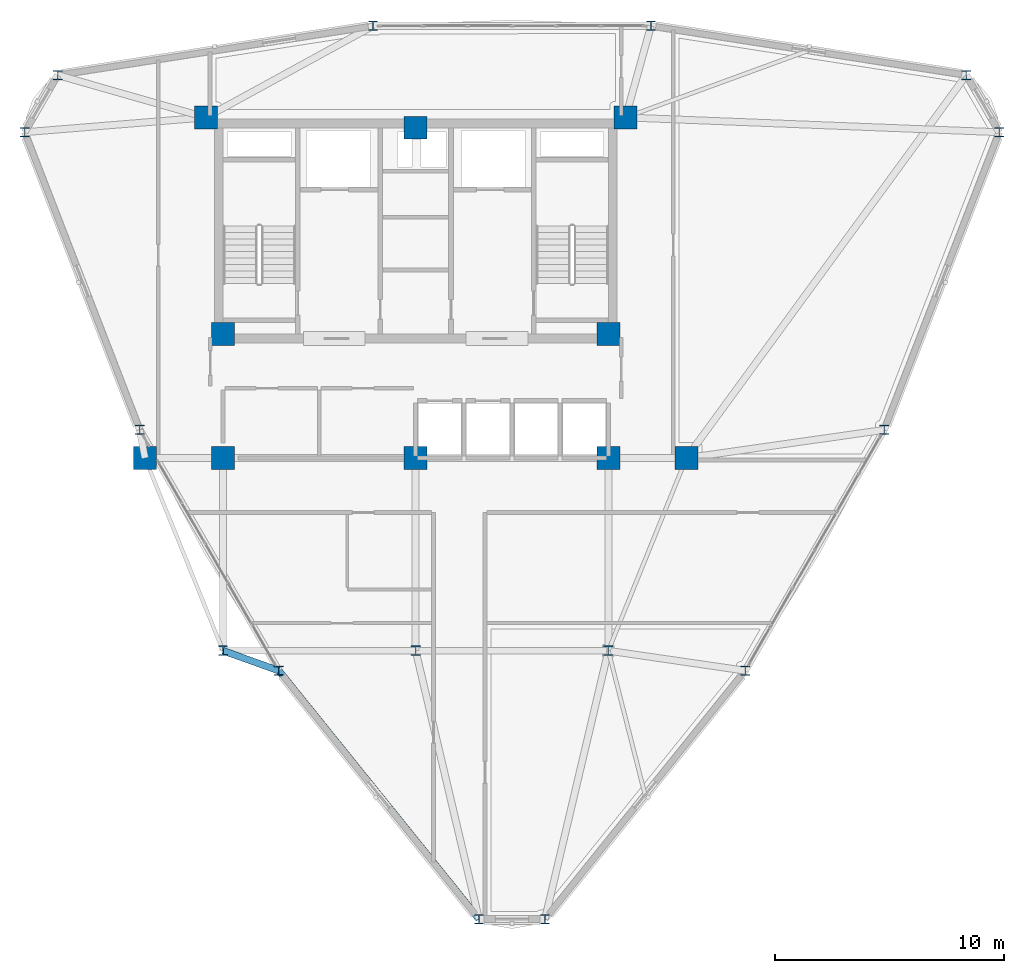
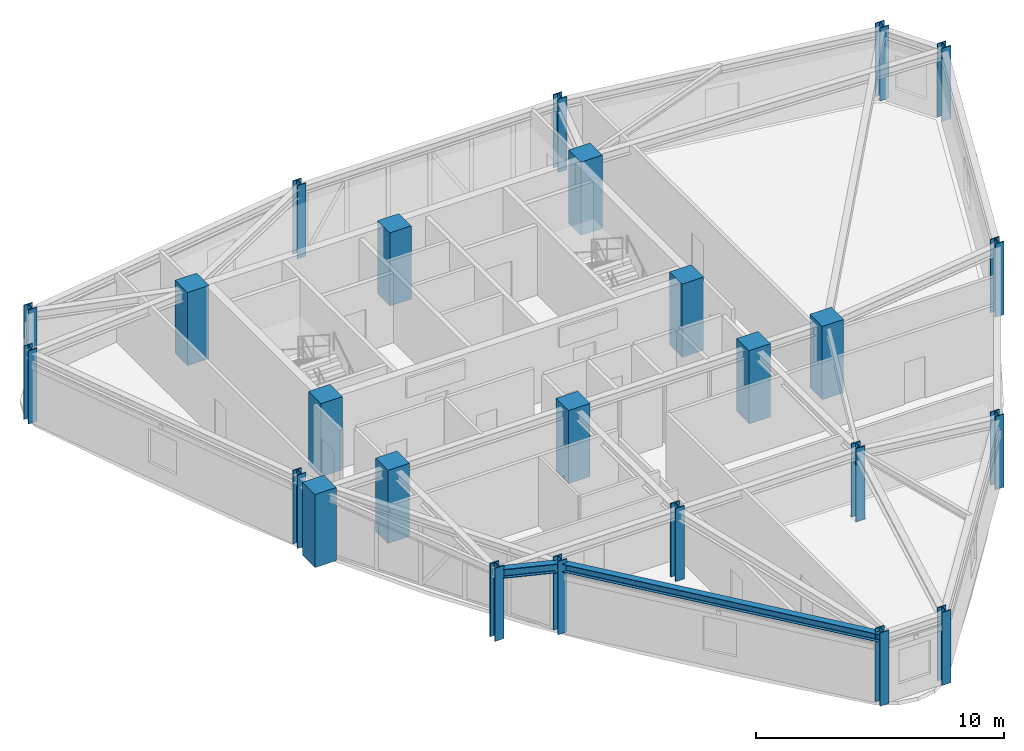
# One storey, part 1 of 16: 25 columns, 2 beams.
"""IFC4 building model written with IfcOpenShell, lengths in metres."""

from ifc_helpers import new_model, si_unit, derived_unit, direction, frame, origin, origin_2d, place, context, subcontext, project, spatial, rectangle, i_section, extrude, source, transform, mapped, material, material_profile, profile_set, type_object, element, save


model = new_model("IFC4")

# Units and contexts
model_context = context("Model", 3, precision=1e-05, world=origin(), true_north=direction((0.0, 1.0)))
body_context = subcontext(model_context, "Body", "Model", "MODEL_VIEW")
ifc_project = project(units=[si_unit("LENGTHUNIT", "METRE"), si_unit("AREAUNIT", "SQUARE_METRE"), si_unit("VOLUMEUNIT", "CUBIC_METRE"), si_unit("PLANEANGLEUNIT", "RADIAN"), si_unit("MASSUNIT", "GRAM", prefix="KILO"), derived_unit("THERMALTRANSMITTANCEUNIT", [(si_unit("POWERUNIT", "WATT"), 1), (si_unit("LENGTHUNIT", "METRE"), -2), (si_unit("THERMODYNAMICTEMPERATUREUNIT", "KELVIN"), -1)])], contexts=[model_context])

# Site, building, storey
site_placement = place(None, origin())
site = spatial("IfcSite", under=ifc_project, at=site_placement, CompositionType="ELEMENT")
building_placement = place(site_placement, origin())
building = spatial("IfcBuilding", under=site, at=building_placement, Name="Korsvarv Bourse and Concert Hall", CompositionType="ELEMENT")
storey_placement = place(building_placement, frame((0.0, 0.0, 231.0)))
storey = spatial("IfcBuildingStorey", under=building, at=storey_placement, Name="L60", CompositionType="ELEMENT", Elevation=231.0)

# Columns
ifc_material_1 = material(Name="Steel S355", Category="steel")
ifc_material_profile_1 = material_profile(ifc_material_1, i_section(OverallWidth=0.412109375, OverallDepth=0.43505859375, WebThickness=0.032958984375, FlangeThickness=0.052978515625, FilletRadius=0.014892578125, at=origin_2d()), Name="HD 400x463")
ifc_profile_set_1 = profile_set([ifc_material_profile_1], Name="Steel S355")
column_type_1 = type_object("IfcColumnType", Name="COL-HD463", PredefinedType="COLUMN", material=ifc_profile_set_1)
shared_shape_1 = source(origin(), body_context, "Body", "SweptSolid", [
    extrude(i_section(OverallWidth=0.412109375, OverallDepth=0.43505859375, WebThickness=0.032958984375, FlangeThickness=0.052978515625, FilletRadius=0.014892578125, at=origin_2d()), origin(), (0.0, 0.0, 1.0), 3.60009765625),
])
for number, where, z_axis, x_axis, name in (
    (1, (27.60009765625, 24.0, 0.0), (0.0, 0.0, 1.0), (1.0, 0.0, 0.0), "L60 column C-09"),
    (2, (44.39990234375, 24.0, 0.0), (0.0, 0.0, 1.0), (1.0, 0.0, 0.0), "L60 column C-09"),
    (3, (36.0, 24.0, 0.0), (0.0, 0.0, 1.0), (1.0, 0.0, 0.0), "L60 column C-09"),
):
    element("IfcColumn", number, at=place(storey_placement, frame(where, z_axis=z_axis, x_axis=x_axis)), inside=storey, type_object=column_type_1, Name=name, PredefinedType="COLUMN", context=body_context, shape_type="MappedRepresentation", body=[
        mapped(shared_shape_1, transform((0.0, 0.0, 0.0), scale=1.0)),
    ])
ifc_material_2 = material(Name="Concrete C55/67", Category="concrete")
ifc_material_profile_2 = material_profile(ifc_material_2, rectangle(XDim=1.0, YDim=1.0, at=origin_2d()), Name="RC 1000x1000")
ifc_profile_set_2 = profile_set([ifc_material_profile_2], Name="Concrete C55/67")
column_type_2 = type_object("IfcColumnType", Name="COL-RC1000", PredefinedType="COLUMN", material=ifc_profile_set_2)
shared_shape_2 = source(origin(), body_context, "Body", "SweptSolid", [
    extrude(rectangle(XDim=1.0, YDim=1.0, at=origin_2d()), origin(), (0.0, 0.0, 1.0), 3.60009765625),
])
for number, where, z_axis, x_axis, name in (
    (4, (26.85009765625, 47.25, 0.0), (0.0, 0.0, 1.0), (1.0, 0.0, 0.0), "L60 column C-03"),
    (5, (45.14990234375, 47.25, 0.0), (0.0, 0.0, 1.0), (1.0, 0.0, 0.0), "L60 column C-03"),
    (6, (27.60009765625, 37.800048828125, 0.0), (0.0, 0.0, 1.0), (1.0, 0.0, 0.0), "L60 column C-03"),
    (7, (44.39990234375, 37.800048828125, 0.0), (0.0, 0.0, 1.0), (1.0, 0.0, 0.0), "L60 column C-03"),
    (8, (27.60009765625, 32.39990234375, 0.0), (0.0, 0.0, 1.0), (1.0, 0.0, 0.0), "L60 column C-03"),
    (9, (44.39990234375, 32.39990234375, 0.0), (0.0, 0.0, 1.0), (1.0, 0.0, 0.0), "L60 column C-03"),
    (10, (36.0, 46.800048828125, 0.0), (0.0, 0.0, 1.0), (1.0, 0.0, 0.0), "L60 column C-03"),
    (11, (36.0, 32.39990234375, 0.0), (0.0, 0.0, 1.0), (1.0, 0.0, 0.0), "L60 column C-03"),
    (12, (24.199951171875, 32.39990234375, 0.0), (0.0, 0.0, 1.0), (1.0, 0.0, 0.0), "L60 column C-03"),
    (13, (47.800048828125, 32.39990234375, 0.0), (0.0, 0.0, 1.0), (1.0, 0.0, 0.0), "L60 column C-03"),
):
    element("IfcColumn", number, at=place(storey_placement, frame(where, z_axis=z_axis, x_axis=x_axis)), inside=storey, type_object=column_type_2, Name=name, PredefinedType="COLUMN", context=body_context, shape_type="MappedRepresentation", body=[
        mapped(shared_shape_2, transform((0.0, 0.0, 0.0), scale=1.0)),
    ])
ifc_material_profile_3 = material_profile(ifc_material_1, i_section(OverallWidth=0.406005859375, OverallDepth=0.416015625, WebThickness=0.027099609375, FlangeThickness=0.0439453125, FilletRadius=0.014892578125, at=origin_2d()), Name="HD 400x382")
ifc_profile_set_3 = profile_set([ifc_material_profile_3], Name="Steel S355")
column_type_3 = type_object("IfcColumnType", Name="COL-HD382", PredefinedType="COLUMN", material=ifc_profile_set_3)
shared_shape_3 = source(origin(), body_context, "Body", "SweptSolid", [
    extrude(i_section(OverallWidth=0.406005859375, OverallDepth=0.416015625, WebThickness=0.027099609375, FlangeThickness=0.0439453125, FilletRadius=0.014892578125, at=origin_2d()), origin(), (0.0, 0.0, 1.0), 3.60009765625),
])
for number, where, z_axis, x_axis, name in (
    (14, (61.447265625, 46.606201171875, 0.0), (0.0, 0.0, 1.0), (1.0, 0.0, 0.0), "L60 column C-10"),
    (15, (60.009033203125, 49.09765625, 0.0), (0.0, 0.0, 1.0), (1.0, 0.0, 0.0), "L60 column C-10"),
    (16, (46.26171875, 51.2412109375, 0.0), (0.0, 0.0, 1.0), (1.0, 0.0, 0.0), "L60 column C-10"),
    (17, (34.13818359375, 51.2412109375, 0.0), (0.0, 0.0, 1.0), (1.0, 0.0, 0.0), "L60 column C-10"),
    (18, (20.39111328125, 49.09765625, 0.0), (0.0, 0.0, 1.0), (1.0, 0.0, 0.0), "L60 column C-10"),
    (19, (18.95263671875, 46.606201171875, 0.0), (0.0, 0.0, 1.0), (1.0, 0.0, 0.0), "L60 column C-10"),
    (20, (23.969970703125, 33.629150390625, 0.0), (0.0, 0.0, 1.0), (1.0, 0.0, 0.0), "L60 column C-10"),
    (21, (30.03173828125, 23.1298828125, 0.0), (0.0, 0.0, 1.0), (1.0, 0.0, 0.0), "L60 column C-10"),
    (22, (38.76171875, 12.296142578125, 0.0), (0.0, 0.0, 1.0), (1.0, 0.0, 0.0), "L60 column C-10"),
    (23, (41.638427734375, 12.296142578125, 0.0), (0.0, 0.0, 1.0), (1.0, 0.0, 0.0), "L60 column C-10"),
    (24, (50.368408203125, 23.1298828125, 0.0), (0.0, 0.0, 1.0), (1.0, 0.0, 0.0), "L60 column C-10"),
    (25, (56.43017578125, 33.629150390625, 0.0), (0.0, 0.0, 1.0), (1.0, 0.0, 0.0), "L60 column C-10"),
):
    element("IfcColumn", number, at=place(storey_placement, frame(where, z_axis=z_axis, x_axis=x_axis)), inside=storey, type_object=column_type_3, Name=name, PredefinedType="COLUMN", context=body_context, shape_type="MappedRepresentation", body=[
        mapped(shared_shape_3, transform((0.0, 0.0, 0.0), scale=1.0)),
    ])

# Beams
ifc_material_profile_4 = material_profile(ifc_material_1, i_section(OverallWidth=0.300048828125, OverallDepth=0.389892578125, WebThickness=0.010986328125, FlangeThickness=0.01904296875, FilletRadius=0.02099609375, at=origin_2d()), Name="HEA 400")
ifc_profile_set_4 = profile_set([ifc_material_profile_4], Name="Steel S355")
beam_type_1 = type_object("IfcBeamType", Name="BM-HEA400", PredefinedType="BEAM", material=ifc_profile_set_4)
shared_shape_4 = source(origin(), body_context, "Body", "SweptSolid", [
    extrude(i_section(OverallWidth=0.300048828125, OverallDepth=0.389892578125, WebThickness=0.010986328125, FlangeThickness=0.01904296875, FilletRadius=0.02099609375, at=origin_2d()), origin(), (0.0, 0.0, 1.0), 13.913330078125),
])
beam_1_placement = place(storey_placement, frame((30.03173828125, 23.1298828125, 3.215087890625), z_axis=(0.627451613124, -0.778655554907, 0.0), x_axis=(0.778655554907, 0.627451613124, 0.0)))
element("IfcBeam", 26, at=beam_1_placement, inside=storey, type_object=beam_type_1, Name="L60 beam B-11", PredefinedType="BEAM", context=body_context, shape_type="MappedRepresentation", body=[
    mapped(shared_shape_4, transform((0.0, 0.0, 0.0), scale=1.0)),
])
ifc_material_profile_5 = material_profile(ifc_material_1, i_section(OverallWidth=0.300048828125, OverallDepth=0.449951171875, WebThickness=0.013916015625, FlangeThickness=0.02587890625, FilletRadius=0.02099609375, at=origin_2d()), Name="HEB 450")
ifc_profile_set_5 = profile_set([ifc_material_profile_5], Name="Steel S355")
beam_type_2 = type_object("IfcBeamType", Name="BM-HEB450", PredefinedType="SPANDREL", material=ifc_profile_set_5)
shared_shape_5 = source(origin(), body_context, "Body", "SweptSolid", [
    extrude(i_section(OverallWidth=0.300048828125, OverallDepth=0.449951171875, WebThickness=0.013916015625, FlangeThickness=0.02587890625, FilletRadius=0.02099609375, at=origin_2d()), origin(), (0.0, 0.0, 1.0), 2.58251953125),
])
beam_2_placement = place(storey_placement, frame((30.03173828125, 23.1298828125, 3.18505859375), z_axis=(-0.941536418254, 0.336911224363, 0.0), x_axis=(-0.336911224363, -0.941536418254, 0.0)))
element("IfcBeam", 27, at=beam_2_placement, inside=storey, type_object=beam_type_2, Name="L60 beam B-08", PredefinedType="SPANDREL", context=body_context, shape_type="MappedRepresentation", body=[
    mapped(shared_shape_5, transform((0.0, 0.0, 0.0), scale=1.0)),
])

save(model, "model.ifc")
